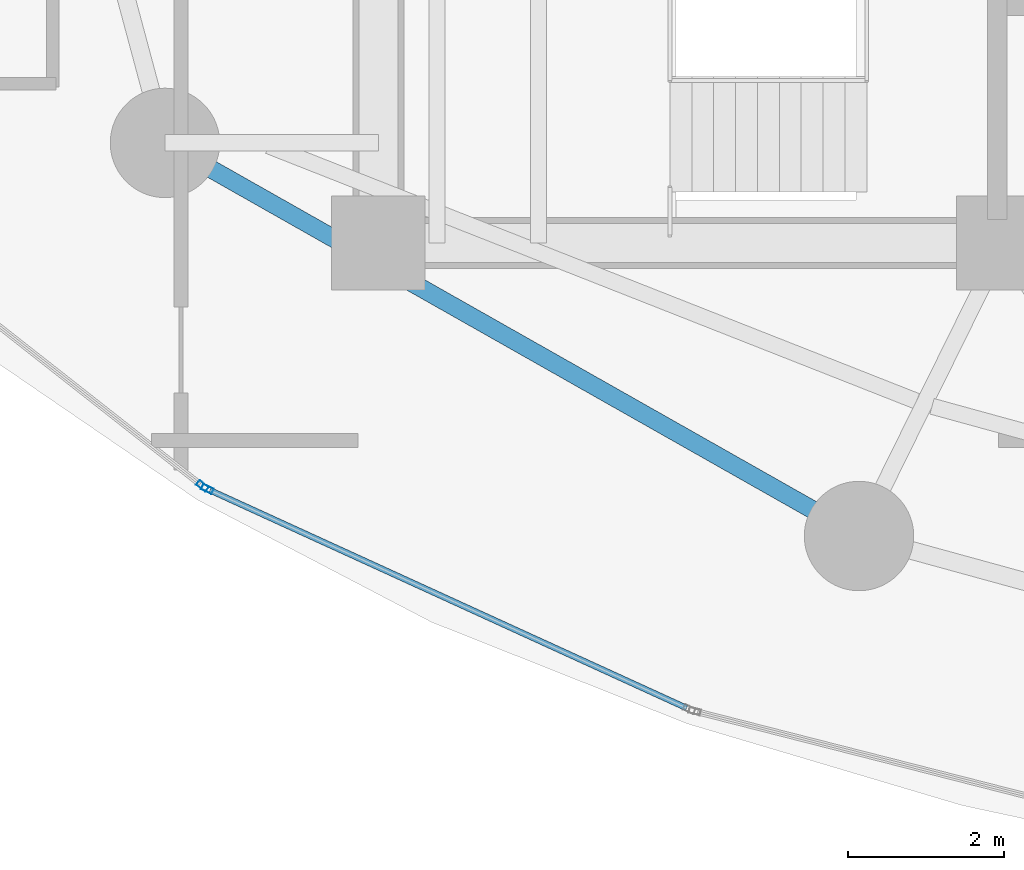
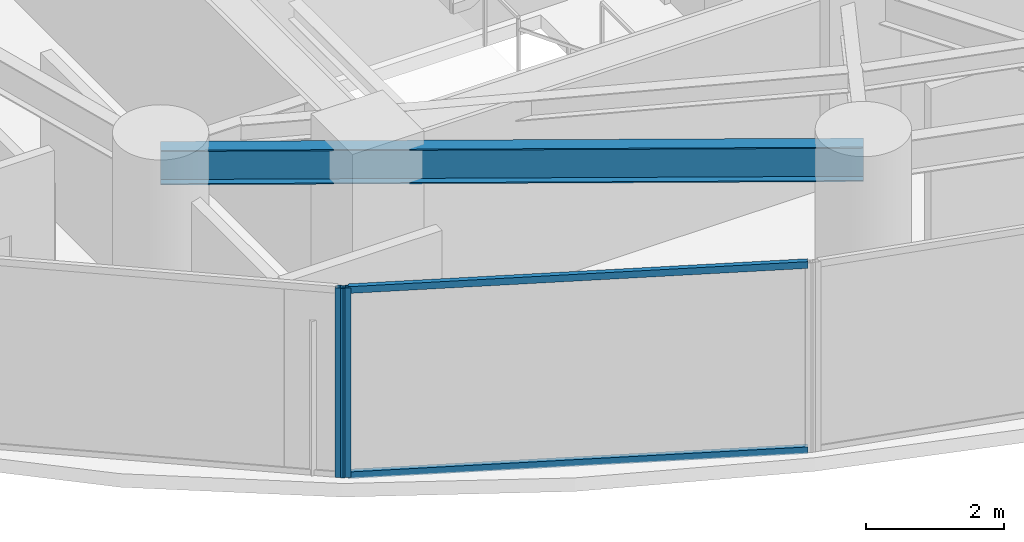
# One storey, part 2 of 32: 4 members, 1 beam, 2 elements without a shape of their own.
"""IFC4 building model written with IfcOpenShell, lengths in metres."""

from ifc_helpers import new_model, si_unit, direction, frame, origin, origin_2d, place, context, subcontext, project, spatial, hollow_rectangle, i_section, extrude, material, layer, layer_set, material_profile, profile_set, type_object, element, aggregate, save


model = new_model("IFC4")

# Units and contexts
model_context = context("Model", 3, precision=1e-05, world=origin(), true_north=direction((0.0, 1.0)))
body_context = subcontext(model_context, "Body", "Model", "MODEL_VIEW")
ifc_project = project(units=[si_unit("LENGTHUNIT", "METRE"), si_unit("AREAUNIT", "SQUARE_METRE"), si_unit("VOLUMEUNIT", "CUBIC_METRE"), si_unit("PLANEANGLEUNIT", "RADIAN"), si_unit("MASSUNIT", "GRAM", prefix="KILO")], contexts=[model_context])

# Site, building, storey
site_placement = place(None, origin())
site = spatial("IfcSite", under=ifc_project, at=site_placement, CompositionType="ELEMENT")
building_placement = place(site_placement, origin())
building = spatial("IfcBuilding", under=site, at=building_placement, Name="Kazevale Care Tower and Concert Hall", CompositionType="ELEMENT")
storey_placement = place(building_placement, frame((0.0, 0.0, 42.0)))
storey = spatial("IfcBuildingStorey", under=building, at=storey_placement, Name="L10", CompositionType="ELEMENT", Elevation=42.0)

# Curtain wall, member
ifc_material_1 = material(Name="Aluminium 6063-T6 and Low-E Glass", Category="aluminium")
ifc_layer = layer(ifc_material_1, 0.179931640625)
ifc_layer_set = layer_set([ifc_layer], Name="Aluminium 6063-T6 and Low-E Glass")
curtain_wall_type = type_object("IfcCurtainWallType", Name="Sheltered Concave Balcony Curtain Wall CW-5", PredefinedType="NOTDEFINED", material=ifc_layer_set)
curtain_wall_1_placement = place(storey_placement, origin())
curtain_wall_1 = element("IfcCurtainWall", 1, at=curtain_wall_1_placement, inside=storey, type_object=curtain_wall_type, Name="cw:L10:f09", PredefinedType="NOTDEFINED")
ifc_material_2 = material(Name="Aluminium 6063-T6", Category="aluminium")
ifc_material_profile_1 = material_profile(ifc_material_2, hollow_rectangle(XDim=0.074951171875, YDim=0.14990234375, WallThickness=0.00390625, at=origin_2d()), Name="ALU75x150x4")
ifc_profile_set_1 = profile_set([ifc_material_profile_1], Name="Aluminium 6063-T6")
member_type_1 = type_object("IfcMemberType", Name="CW-5 Mullion ALU75x150x4", PredefinedType="MULLION", material=ifc_profile_set_1)
member_1_placement = place(storey_placement, frame((19.81201171875, 20.451416015625, 0.0), z_axis=(0.0, 0.0, 1.0), x_axis=(-0.415659767773, -0.909520179795, 0.0)))
member_1 = element("IfcMember", 2, at=member_1_placement, type_object=member_type_1, Name="CW-5 mullion 2", PredefinedType="MULLION", context=body_context, shape_type="SweptSolid", body=[
    extrude(hollow_rectangle(XDim=0.074951171875, YDim=0.14990234375, WallThickness=0.00390625, at=origin_2d()), origin(), (0.0, 0.0, 1.0), 3.360107421875),
])

curtain_wall_2_placement = place(storey_placement, origin())
curtain_wall_2 = element("IfcCurtainWall", 3, at=curtain_wall_2_placement, inside=storey, type_object=curtain_wall_type, Name="cw:L10:f10", PredefinedType="NOTDEFINED")
member_2_placement = place(storey_placement, frame((19.74853515625, 20.490234375, 0.0), z_axis=(0.0, 0.0, 1.0), x_axis=(-0.617807548814, -0.78632934107, 0.0)))
member_2 = element("IfcMember", 4, at=member_2_placement, type_object=member_type_1, Name="CW-5 mullion 1", PredefinedType="MULLION", context=body_context, shape_type="SweptSolid", body=[
    extrude(hollow_rectangle(XDim=0.074951171875, YDim=0.14990234375, WallThickness=0.00390625, at=origin_2d()), origin(), (0.0, 0.0, 1.0), 3.360107421875),
])
aggregate(curtain_wall_2, [member_2])

# Member
ifc_material_profile_2 = material_profile(ifc_material_2, hollow_rectangle(XDim=0.074951171875, YDim=0.1201171875, WallThickness=0.00390625, at=origin_2d()), Name="ALU75x120x4")
ifc_profile_set_2 = profile_set([ifc_material_profile_2], Name="Aluminium 6063-T6")
member_type_2 = type_object("IfcMemberType", Name="CW-5 Transom ALU75x120x4", PredefinedType="USERDEFINED", material=ifc_profile_set_2)
member_3_placement = place(storey_placement, frame((25.94384765625, 17.649169921875, 0.03759765625), z_axis=(-0.909524040017, 0.415651320978, 0.0), x_axis=(-0.415651320978, -0.909524040017, 0.0)))
member_3 = element("IfcMember", 5, at=member_3_placement, type_object=member_type_2, Name="CW-5 transom 1.1", ObjectType="TRANSOM", PredefinedType="USERDEFINED", context=body_context, shape_type="SweptSolid", body=[
    extrude(hollow_rectangle(XDim=0.074951171875, YDim=0.1201171875, WallThickness=0.00390625, at=origin_2d()), origin(), (0.0, 0.0, 1.0), 6.704345703125),
])

member_4_placement = place(storey_placement, frame((25.94384765625, 17.649169921875, 3.322509765625), z_axis=(-0.909524040017, 0.415651320978, 0.0), x_axis=(-0.415651320978, -0.909524040017, 0.0)))
member_4 = element("IfcMember", 6, at=member_4_placement, type_object=member_type_2, Name="CW-5 transom 1.2", ObjectType="TRANSOM", PredefinedType="USERDEFINED", context=body_context, shape_type="SweptSolid", body=[
    extrude(hollow_rectangle(XDim=0.074951171875, YDim=0.1201171875, WallThickness=0.00390625, at=origin_2d()), origin(), (0.0, 0.0, 1.0), 6.704345703125),
])

aggregate(curtain_wall_1, [member_1, member_3, member_4])

# Beam
ifc_material_3 = material(Name="Steel ASTM A572 Gr 50", Category="steel")
ifc_material_profile_3 = material_profile(ifc_material_3, i_section(OverallWidth=0.22900390625, OverallDepth=0.612060546875, WebThickness=0.011962890625, FlangeThickness=0.01953125, at=origin_2d()), Name="W610x125")
ifc_profile_set_3 = profile_set([ifc_material_profile_3], Name="Steel ASTM A572 Gr 50")
beam_type = type_object("IfcBeamType", Name="Ring Spandrel Beam W610x125", PredefinedType="SPANDREL", material=ifc_profile_set_3)
beam_placement = place(storey_placement, frame((19.27001953125, 24.8798828125, 3.053955078125), z_axis=(0.870112469479, -0.492853213906, 0.0), x_axis=(0.492853213906, 0.870112469479, 0.0)))
element("IfcBeam", 7, at=beam_placement, inside=storey, type_object=beam_type, Name="beam:L10:ring:10", PredefinedType="SPANDREL", context=body_context, shape_type="SweptSolid", body=[
    extrude(i_section(OverallWidth=0.22900390625, OverallDepth=0.612060546875, WebThickness=0.011962890625, FlangeThickness=0.01953125, at=origin_2d()), origin(), (0.0, 0.0, 1.0), 10.205322265625),
])

save(model, "model.ifc")
